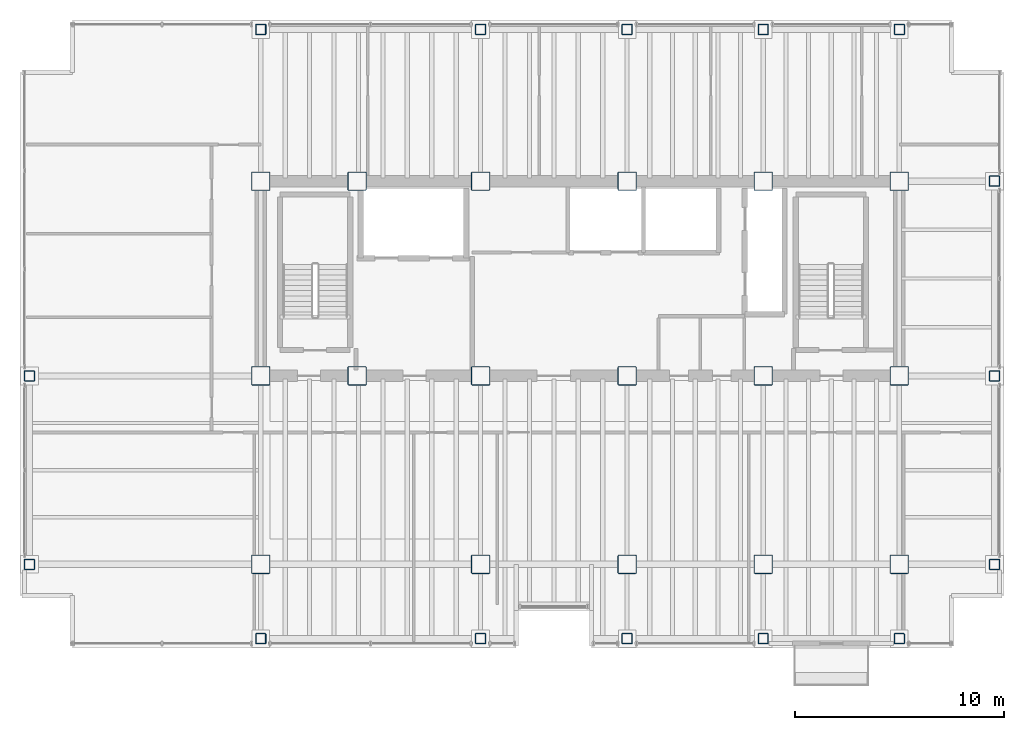
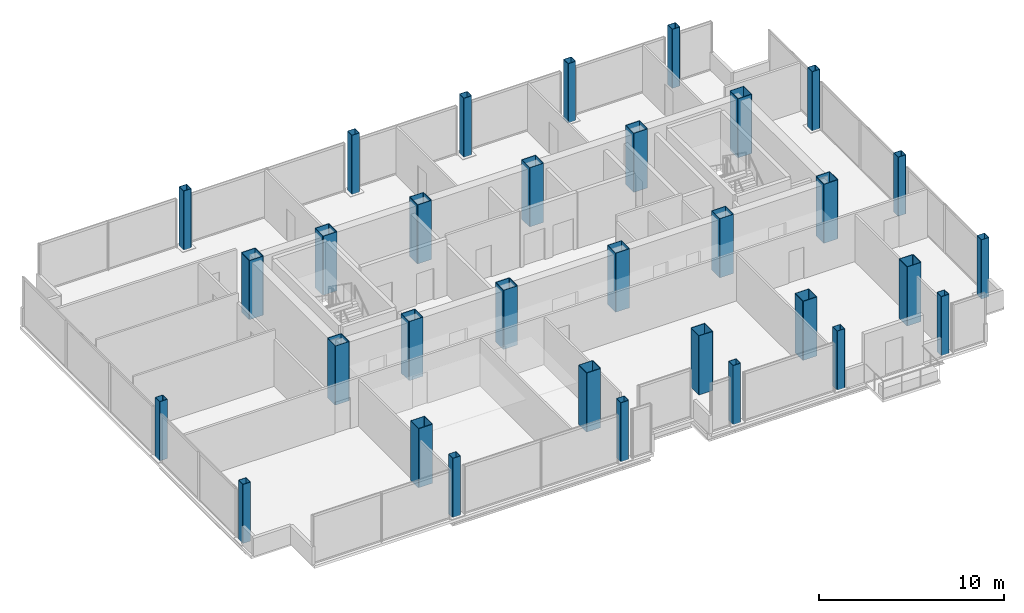
# One storey, part 1 of 19: 32 columns.
"""IFC4 building model written with IfcOpenShell, lengths in metres."""

from ifc_helpers import new_model, si_unit, direction, frame, origin, origin_2d, place, context, subcontext, project, spatial, hollow_rectangle, extrude, material, material_profile, profile_set, type_object, element, save


model = new_model("IFC4")

# Units and contexts
model_context = context("Model", 3, precision=1e-05, world=origin(), true_north=direction((0.0, 1.0)))
body_context = subcontext(model_context, "Body", "Model", "MODEL_VIEW")
ifc_project = project(units=[si_unit("LENGTHUNIT", "METRE"), si_unit("AREAUNIT", "SQUARE_METRE"), si_unit("VOLUMEUNIT", "CUBIC_METRE"), si_unit("PLANEANGLEUNIT", "RADIAN"), si_unit("MASSUNIT", "GRAM", prefix="KILO")], contexts=[model_context])

# Site, building, storey
site_placement = place(None, origin())
site = spatial("IfcSite", under=ifc_project, at=site_placement, CompositionType="ELEMENT")
building_placement = place(site_placement, origin())
building = spatial("IfcBuilding", under=site, at=building_placement, Name="Noeulbin Bourse Tower", CompositionType="ELEMENT")
storey_placement = place(building_placement, frame((0.0, 0.0, 146.10009765625)))
storey = spatial("IfcBuildingStorey", under=building, at=storey_placement, Name="L36", CompositionType="ELEMENT", Elevation=146.10009765625)

# Columns
ifc_material_1 = material(Name="Steel S355", Category="steel")
ifc_material_profile_1 = material_profile(ifc_material_1, hollow_rectangle(XDim=0.5, YDim=0.5, WallThickness=0.02392578125, InnerFilletRadius=0.011962890625, OuterFilletRadius=0.035888671875, at=origin_2d()), Name="BOX-500x500x24", Category="LoadBearing")
ifc_profile_set_1 = profile_set([ifc_material_profile_1], Name="Steel S355")
column_type_1 = type_object("IfcColumnType", Name="COL-PER-Z2", PredefinedType="COLUMN", material=ifc_profile_set_1)
for number, where, z_axis, x_axis, name in (
    (1, (2.449951171875, 20.0, 0.0), (0.0, 0.0, 1.0), (1.0, 0.0, 0.0), "Tower Perimeter Column COL-PER-Z2 01"),
    (2, (2.449951171875, 29.0, 0.0), (0.0, 0.0, 1.0), (1.0, 0.0, 0.0), "Tower Perimeter Column COL-PER-Z2 02"),
    (3, (13.5, 16.449951171875, 0.0), (0.0, 0.0, 1.0), (1.0, 0.0, 0.0), "Tower Perimeter Column COL-PER-Z2 03"),
    (4, (13.5, 45.550048828125, 0.0), (0.0, 0.0, 1.0), (1.0, 0.0, 0.0), "Tower Perimeter Column COL-PER-Z2 04"),
    (5, (24.0, 16.449951171875, 0.0), (0.0, 0.0, 1.0), (1.0, 0.0, 0.0), "Tower Perimeter Column COL-PER-Z2 05"),
    (6, (24.0, 45.550048828125, 0.0), (0.0, 0.0, 1.0), (1.0, 0.0, 0.0), "Tower Perimeter Column COL-PER-Z2 06"),
    (7, (31.0, 16.449951171875, 0.0), (0.0, 0.0, 1.0), (1.0, 0.0, 0.0), "Tower Perimeter Column COL-PER-Z2 07"),
    (8, (31.0, 45.550048828125, 0.0), (0.0, 0.0, 1.0), (1.0, 0.0, 0.0), "Tower Perimeter Column COL-PER-Z2 08"),
    (9, (37.5, 16.449951171875, 0.0), (0.0, 0.0, 1.0), (1.0, 0.0, 0.0), "Tower Perimeter Column COL-PER-Z2 09"),
    (10, (37.5, 45.550048828125, 0.0), (0.0, 0.0, 1.0), (1.0, 0.0, 0.0), "Tower Perimeter Column COL-PER-Z2 10"),
    (11, (44.0, 16.449951171875, 0.0), (0.0, 0.0, 1.0), (1.0, 0.0, 0.0), "Tower Perimeter Column COL-PER-Z2 11"),
    (12, (44.0, 45.550048828125, 0.0), (0.0, 0.0, 1.0), (1.0, 0.0, 0.0), "Tower Perimeter Column COL-PER-Z2 12"),
    (13, (48.550048828125, 20.0, 0.0), (0.0, 0.0, 1.0), (1.0, 0.0, 0.0), "Tower Perimeter Column COL-PER-Z2 13"),
    (14, (48.550048828125, 29.0, 0.0), (0.0, 0.0, 1.0), (1.0, 0.0, 0.0), "Tower Perimeter Column COL-PER-Z2 14"),
    (15, (48.550048828125, 38.300048828125, 0.0), (0.0, 0.0, 1.0), (1.0, 0.0, 0.0), "Tower Perimeter Column COL-PER-Z2 15"),
):
    element("IfcColumn", number, at=place(storey_placement, frame(where, z_axis=z_axis, x_axis=x_axis)), inside=storey, type_object=column_type_1, Name=name, PredefinedType="COLUMN", context=body_context, shape_type="SweptSolid", body=[
        extrude(hollow_rectangle(XDim=0.5, YDim=0.5, WallThickness=0.02392578125, InnerFilletRadius=0.011962890625, OuterFilletRadius=0.035888671875, at=origin_2d()), origin(), (0.0, 0.0, 1.0), 3.89990234375),
    ])
ifc_material_2 = material(Name="Steel S460", Category="steel")
ifc_material_profile_2 = material_profile(ifc_material_2, hollow_rectangle(XDim=0.89990234375, YDim=0.89990234375, WallThickness=0.034912109375, InnerFilletRadius=0.01708984375, OuterFilletRadius=0.052001953125, at=origin_2d()), Name="BOX-900x900x35", Category="LoadBearing")
ifc_profile_set_2 = profile_set([ifc_material_profile_2], Name="Steel S460")
column_type_2 = type_object("IfcColumnType", Name="COL-TRK-Z2", PredefinedType="COLUMN", material=ifc_profile_set_2)
for number, where, z_axis, x_axis, name in (
    (16, (13.5, 29.0, 0.0), (0.0, 0.0, 1.0), (1.0, 0.0, 0.0), "Tower Trunk Mega-Column COL-TRK-Z2 01"),
    (17, (13.5, 38.300048828125, 0.0), (0.0, 0.0, 1.0), (1.0, 0.0, 0.0), "Tower Trunk Mega-Column COL-TRK-Z2 02"),
    (18, (18.10009765625, 29.0, 0.0), (0.0, 0.0, 1.0), (1.0, 0.0, 0.0), "Tower Trunk Mega-Column COL-TRK-Z2 03"),
    (19, (18.10009765625, 38.300048828125, 0.0), (0.0, 0.0, 1.0), (1.0, 0.0, 0.0), "Tower Trunk Mega-Column COL-TRK-Z2 04"),
    (20, (24.0, 29.0, 0.0), (0.0, 0.0, 1.0), (1.0, 0.0, 0.0), "Tower Trunk Mega-Column COL-TRK-Z2 05"),
    (21, (24.0, 38.300048828125, 0.0), (0.0, 0.0, 1.0), (1.0, 0.0, 0.0), "Tower Trunk Mega-Column COL-TRK-Z2 06"),
    (22, (31.0, 29.0, 0.0), (0.0, 0.0, 1.0), (1.0, 0.0, 0.0), "Tower Trunk Mega-Column COL-TRK-Z2 07"),
    (23, (31.0, 38.300048828125, 0.0), (0.0, 0.0, 1.0), (1.0, 0.0, 0.0), "Tower Trunk Mega-Column COL-TRK-Z2 08"),
    (24, (37.5, 29.0, 0.0), (0.0, 0.0, 1.0), (1.0, 0.0, 0.0), "Tower Trunk Mega-Column COL-TRK-Z2 09"),
    (25, (37.5, 38.300048828125, 0.0), (0.0, 0.0, 1.0), (1.0, 0.0, 0.0), "Tower Trunk Mega-Column COL-TRK-Z2 10"),
    (26, (44.0, 29.0, 0.0), (0.0, 0.0, 1.0), (1.0, 0.0, 0.0), "Tower Trunk Mega-Column COL-TRK-Z2 11"),
    (27, (44.0, 38.300048828125, 0.0), (0.0, 0.0, 1.0), (1.0, 0.0, 0.0), "Tower Trunk Mega-Column COL-TRK-Z2 12"),
    (28, (13.5, 20.0, 0.0), (0.0, 0.0, 1.0), (1.0, 0.0, 0.0), "Tower Trunk Mega-Column COL-TRK-Z2 13"),
    (29, (24.0, 20.0, 0.0), (0.0, 0.0, 1.0), (1.0, 0.0, 0.0), "Tower Trunk Mega-Column COL-TRK-Z2 14"),
    (30, (31.0, 20.0, 0.0), (0.0, 0.0, 1.0), (1.0, 0.0, 0.0), "Tower Trunk Mega-Column COL-TRK-Z2 15"),
    (31, (37.5, 20.0, 0.0), (0.0, 0.0, 1.0), (1.0, 0.0, 0.0), "Tower Trunk Mega-Column COL-TRK-Z2 16"),
    (32, (44.0, 20.0, 0.0), (0.0, 0.0, 1.0), (1.0, 0.0, 0.0), "Tower Trunk Mega-Column COL-TRK-Z2 17"),
):
    element("IfcColumn", number, at=place(storey_placement, frame(where, z_axis=z_axis, x_axis=x_axis)), inside=storey, type_object=column_type_2, Name=name, PredefinedType="COLUMN", context=body_context, shape_type="SweptSolid", body=[
        extrude(hollow_rectangle(XDim=0.89990234375, YDim=0.89990234375, WallThickness=0.034912109375, InnerFilletRadius=0.01708984375, OuterFilletRadius=0.052001953125, at=origin_2d()), origin(), (0.0, 0.0, 1.0), 3.89990234375),
    ])

save(model, "model.ifc")
